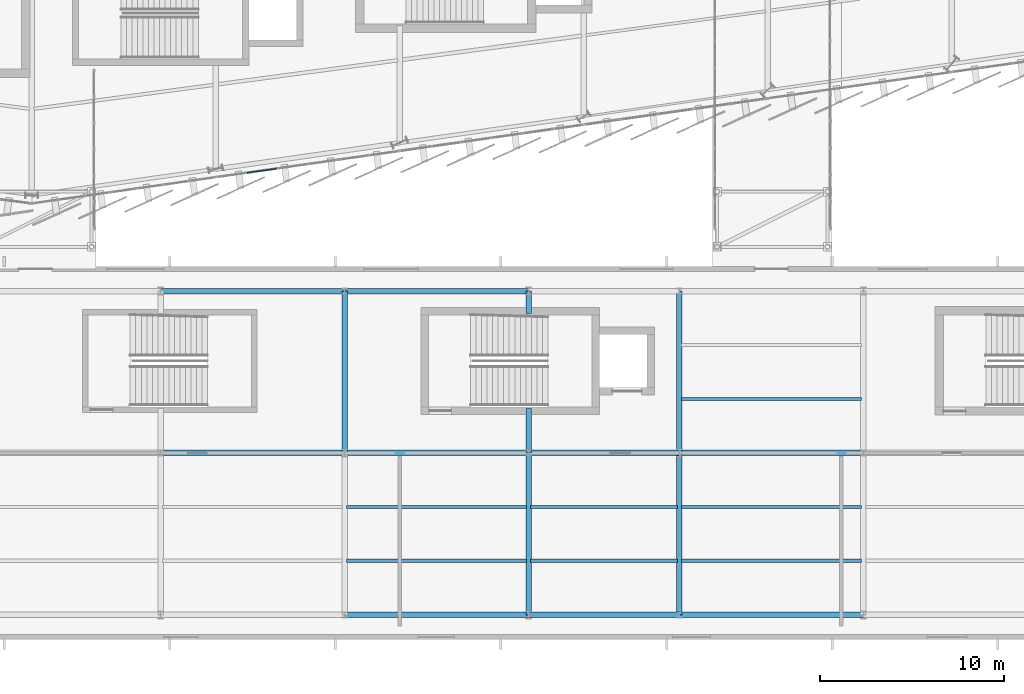
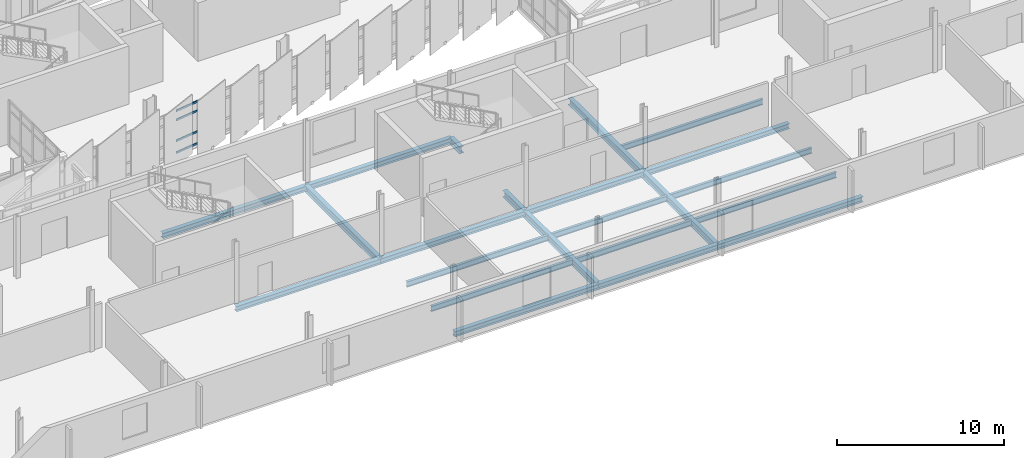
# One storey, part 38 of 125: 22 beams, 4 members, 1 element without a shape of its own.
"""IFC4 building model written with IfcOpenShell, lengths in metres."""

from ifc_helpers import new_model, si_unit, direction, frame, origin, origin_2d, place, context, subcontext, project, spatial, rectangle, i_section, extrude, material, layer, layer_set, material_profile, profile_set, type_object, element, aggregate, save


model = new_model("IFC4")

# Units and contexts
model_context = context("Model", 3, precision=1e-05, world=origin(), true_north=direction((0.0, 1.0)))
body_context = subcontext(model_context, "Body", "Model", "MODEL_VIEW")
ifc_project = project(units=[si_unit("LENGTHUNIT", "METRE"), si_unit("AREAUNIT", "SQUARE_METRE"), si_unit("VOLUMEUNIT", "CUBIC_METRE"), si_unit("PLANEANGLEUNIT", "RADIAN"), si_unit("MASSUNIT", "GRAM", prefix="KILO")], contexts=[model_context])

# Site, building, storey
site_placement = place(None, origin())
site = spatial("IfcSite", under=ifc_project, at=site_placement, CompositionType="ELEMENT")
building_placement = place(site_placement, origin())
building = spatial("IfcBuilding", under=site, at=building_placement, Name="Sohan Crest Arena", CompositionType="ELEMENT")
storey_placement = place(building_placement, frame((0.0, 0.0, 9.0)))
storey = spatial("IfcBuildingStorey", under=building, at=storey_placement, Name="L02", CompositionType="ELEMENT", Elevation=9.0)

# Curtain wall, members
ifc_material_1 = material(Name="Thermally broken anodised aluminium", Category="aluminium")
ifc_layer = layer(ifc_material_1, 0.199951171875, Name="Thermally broken anodised aluminium")
ifc_layer_set = layer_set([ifc_layer], Name="Thermally broken anodised aluminium")
curtain_wall_type = type_object("IfcCurtainWallType", Name="ARC-CW02", PredefinedType="NOTDEFINED", material=ifc_layer_set)
curtain_wall_placement = place(storey_placement, origin())
curtain_wall = element("IfcCurtainWall", 1, at=curtain_wall_placement, inside=storey, type_object=curtain_wall_type, Name="Unitised curtain wall CW-061", PredefinedType="NOTDEFINED")
ifc_material_profile_1 = material_profile(ifc_material_1, rectangle(XDim=0.06494140625, YDim=0.139892578125, at=origin_2d()), Name="ALU-TRAN 65x140")
ifc_profile_set_1 = profile_set([ifc_material_profile_1], Name="Thermally broken anodised aluminium")
member_type = type_object("IfcMemberType", Name="ARC-CW-TR02", PredefinedType="USERDEFINED", material=ifc_profile_set_1)
member_1_placement = place(storey_placement, frame((109.69873046875, 31.2216796875, 0.032470703125), z_axis=(0.989964569759, 0.141315783343, 0.0), x_axis=(-0.141315783343, 0.989964569759, 0.0)))
member_1 = element("IfcMember", 2, at=member_1_placement, type_object=member_type, Name="CW-061 transom 2.1", ObjectType="TRANSOM", PredefinedType="USERDEFINED", context=body_context, shape_type="SweptSolid", body=[
    extrude(rectangle(XDim=0.06494140625, YDim=0.139892578125, at=origin_2d()), origin(), (0.0, 0.0, 1.0), 1.618896484375),
])
member_2_placement = place(storey_placement, frame((109.69873046875, 31.2216796875, 0.89990234375), z_axis=(0.989964569759, 0.141315783343, 0.0), x_axis=(-0.141315783343, 0.989964569759, 0.0)))
member_2 = element("IfcMember", 3, at=member_2_placement, type_object=member_type, Name="CW-061 transom 2.2", ObjectType="TRANSOM", PredefinedType="USERDEFINED", context=body_context, shape_type="SweptSolid", body=[
    extrude(rectangle(XDim=0.06494140625, YDim=0.139892578125, at=origin_2d()), origin(), (0.0, 0.0, 1.0), 1.618896484375),
])
member_3_placement = place(storey_placement, frame((109.69873046875, 31.2216796875, 2.419921875), z_axis=(0.989964569759, 0.141315783343, 0.0), x_axis=(-0.141315783343, 0.989964569759, 0.0)))
member_3 = element("IfcMember", 4, at=member_3_placement, type_object=member_type, Name="CW-061 transom 2.3", ObjectType="TRANSOM", PredefinedType="USERDEFINED", context=body_context, shape_type="SweptSolid", body=[
    extrude(rectangle(XDim=0.06494140625, YDim=0.139892578125, at=origin_2d()), origin(), (0.0, 0.0, 1.0), 1.618896484375),
])
member_4_placement = place(storey_placement, frame((109.69873046875, 31.2216796875, 3.08740234375), z_axis=(0.989964569759, 0.141315783343, 0.0), x_axis=(-0.141315783343, 0.989964569759, 0.0)))
member_4 = element("IfcMember", 5, at=member_4_placement, type_object=member_type, Name="CW-061 transom 2.4", ObjectType="TRANSOM", PredefinedType="USERDEFINED", context=body_context, shape_type="SweptSolid", body=[
    extrude(rectangle(XDim=0.06494140625, YDim=0.139892578125, at=origin_2d()), origin(), (0.0, 0.0, 1.0), 1.618896484375),
])
aggregate(curtain_wall, [member_1, member_2, member_3, member_4])

# Beams
ifc_material_2 = material(Name="Steel S355", Category="steel")
ifc_material_profile_2 = material_profile(ifc_material_2, i_section(OverallWidth=0.179931640625, OverallDepth=0.39990234375, WebThickness=0.008544921875, FlangeThickness=0.013427734375, at=origin_2d()), Name="IPE 400")
ifc_profile_set_2 = profile_set([ifc_material_profile_2], Name="Steel S355")
beam_type_1 = type_object("IfcBeamType", Name="STR-BM-B03", PredefinedType="JOIST", material=ifc_profile_set_2)
for number, where, z_axis, x_axis, name in (
    (6, (115.110107421875, 10.133056640625, -0.449951171875), (1.0, 0.0, 0.0), (0.0, 1.0, 0.0), "Structural beam J-L02-2665"),
    (7, (115.110107421875, 13.06689453125, -0.449951171875), (1.0, 0.0, 0.0), (0.0, 1.0, 0.0), "Structural beam J-L02-2666"),
):
    element("IfcBeam", number, at=place(storey_placement, frame(where, z_axis=z_axis, x_axis=x_axis)), inside=storey, type_object=beam_type_1, Name=name, PredefinedType="JOIST", context=body_context, shape_type="SweptSolid", body=[
        extrude(i_section(OverallWidth=0.179931640625, OverallDepth=0.39990234375, WebThickness=0.008544921875, FlangeThickness=0.013427734375, at=origin_2d()), origin(), (0.0, 0.0, 1.0), 9.77978515625),
    ])
for number, where, z_axis, x_axis, name in (
    (8, (125.110107421875, 10.133056640625, -0.449951171875), (1.0, 0.0, 0.0), (0.0, 1.0, 0.0), "Structural beam J-L02-2668"),
    (9, (125.110107421875, 13.06689453125, -0.449951171875), (1.0, 0.0, 0.0), (0.0, 1.0, 0.0), "Structural beam J-L02-2669"),
):
    element("IfcBeam", number, at=place(storey_placement, frame(where, z_axis=z_axis, x_axis=x_axis)), inside=storey, type_object=beam_type_1, Name=name, PredefinedType="JOIST", context=body_context, shape_type="SweptSolid", body=[
        extrude(i_section(OverallWidth=0.179931640625, OverallDepth=0.39990234375, WebThickness=0.008544921875, FlangeThickness=0.013427734375, at=origin_2d()), origin(), (0.0, 0.0, 1.0), 7.97998046875),
    ])
for number, where, z_axis, x_axis, name in (
    (10, (133.31005859375, 10.133056640625, -0.449951171875), (1.0, 0.0, 0.0), (0.0, 1.0, 0.0), "Structural beam J-L02-2671"),
    (11, (133.31005859375, 13.06689453125, -0.449951171875), (1.0, 0.0, 0.0), (0.0, 1.0, 0.0), "Structural beam J-L02-2672"),
    (12, (133.31005859375, 18.93310546875, -0.449951171875), (1.0, 0.0, 0.0), (0.0, 1.0, 0.0), "Structural beam J-L02-2686"),
):
    element("IfcBeam", number, at=place(storey_placement, frame(where, z_axis=z_axis, x_axis=x_axis)), inside=storey, type_object=beam_type_1, Name=name, PredefinedType="JOIST", context=body_context, shape_type="SweptSolid", body=[
        extrude(i_section(OverallWidth=0.179931640625, OverallDepth=0.39990234375, WebThickness=0.008544921875, FlangeThickness=0.013427734375, at=origin_2d()), origin(), (0.0, 0.0, 1.0), 9.780029296875),
    ])
ifc_material_profile_3 = material_profile(ifc_material_2, i_section(OverallWidth=0.300048828125, OverallDepth=0.389892578125, WebThickness=0.010986328125, FlangeThickness=0.01904296875, at=origin_2d()), Name="HEA 400")
ifc_profile_set_3 = profile_set([ifc_material_profile_3], Name="Steel S355")
beam_type_2 = type_object("IfcBeamType", Name="STR-BM-B09", PredefinedType="BEAM", material=ifc_profile_set_3)
beam_1_placement = place(storey_placement, frame((115.0, 7.199951171875, -0.445068359375), z_axis=(1.0, 0.0, 0.0), x_axis=(0.0, 1.0, 0.0)))
element("IfcBeam", 13, at=beam_1_placement, inside=storey, type_object=beam_type_2, Name="Structural beam G-L02-2664", PredefinedType="BEAM", context=body_context, shape_type="SweptSolid", body=[
    extrude(i_section(OverallWidth=0.300048828125, OverallDepth=0.389892578125, WebThickness=0.010986328125, FlangeThickness=0.01904296875, at=origin_2d()), origin(), (0.0, 0.0, 1.0), 10.0),
])
beam_2_placement = place(storey_placement, frame((125.0, 7.199951171875, -0.445068359375), z_axis=(1.0, 0.0, 0.0), x_axis=(0.0, 1.0, 0.0)))
element("IfcBeam", 14, at=beam_2_placement, inside=storey, type_object=beam_type_2, Name="Structural beam G-L02-2667", PredefinedType="BEAM", context=body_context, shape_type="SweptSolid", body=[
    extrude(i_section(OverallWidth=0.300048828125, OverallDepth=0.389892578125, WebThickness=0.010986328125, FlangeThickness=0.01904296875, at=origin_2d()), origin(), (0.0, 0.0, 1.0), 8.199951171875),
])
for number, where, z_axis, x_axis, name in (
    (15, (133.199951171875, 7.199951171875, -0.445068359375), (1.0, 0.0, 0.0), (0.0, 1.0, 0.0), "Structural beam G-L02-2670"),
    (16, (105.0, 16.0, -0.445068359375), (1.0, 0.0, 0.0), (0.0, 1.0, 0.0), "Structural beam G-L02-2682"),
    (17, (115.0, 16.0, -0.445068359375), (1.0, 0.0, 0.0), (0.0, 1.0, 0.0), "Structural beam G-L02-2683"),
):
    element("IfcBeam", number, at=place(storey_placement, frame(where, z_axis=z_axis, x_axis=x_axis)), inside=storey, type_object=beam_type_2, Name=name, PredefinedType="BEAM", context=body_context, shape_type="SweptSolid", body=[
        extrude(i_section(OverallWidth=0.300048828125, OverallDepth=0.389892578125, WebThickness=0.010986328125, FlangeThickness=0.01904296875, at=origin_2d()), origin(), (0.0, 0.0, 1.0), 10.0),
    ])
beam_3_placement = place(storey_placement, frame((125.0, 16.0, -0.445068359375), z_axis=(1.0, 0.0, 0.0), x_axis=(0.0, 1.0, 0.0)))
element("IfcBeam", 18, at=beam_3_placement, inside=storey, type_object=beam_type_2, Name="Structural beam G-L02-2684", PredefinedType="BEAM", context=body_context, shape_type="SweptSolid", body=[
    extrude(i_section(OverallWidth=0.300048828125, OverallDepth=0.389892578125, WebThickness=0.010986328125, FlangeThickness=0.01904296875, at=origin_2d()), origin(), (0.0, 0.0, 1.0), 8.199951171875),
])
for number, where, z_axis, x_axis, name in (
    (19, (133.199951171875, 16.0, -0.445068359375), (1.0, 0.0, 0.0), (0.0, 1.0, 0.0), "Structural beam G-L02-2685"),
    (20, (105.0, 24.800048828125, -0.445068359375), (1.0, 0.0, 0.0), (0.0, 1.0, 0.0), "Structural beam G-L02-2693"),
    (21, (115.0, 24.800048828125, -0.445068359375), (1.0, 0.0, 0.0), (0.0, 1.0, 0.0), "Structural beam G-L02-2694"),
):
    element("IfcBeam", number, at=place(storey_placement, frame(where, z_axis=z_axis, x_axis=x_axis)), inside=storey, type_object=beam_type_2, Name=name, PredefinedType="BEAM", context=body_context, shape_type="SweptSolid", body=[
        extrude(i_section(OverallWidth=0.300048828125, OverallDepth=0.389892578125, WebThickness=0.010986328125, FlangeThickness=0.01904296875, at=origin_2d()), origin(), (0.0, 0.0, 1.0), 10.0),
    ])
ifc_material_profile_4 = material_profile(ifc_material_2, i_section(OverallWidth=0.300048828125, OverallDepth=0.489990234375, WebThickness=0.011962890625, FlangeThickness=0.02294921875, at=origin_2d()), Name="HEA 500")
ifc_profile_set_4 = profile_set([ifc_material_profile_4], Name="Steel S355")
beam_type_3 = type_object("IfcBeamType", Name="STR-BM-B10", PredefinedType="BEAM", material=ifc_profile_set_4)
for number, where, z_axis, x_axis, name in (
    (22, (115.0, 16.0, -0.4951171875), (0.0, 1.0, 0.0), (-1.0, 0.0, 0.0), "Structural beam G-L02-2639"),
    (23, (125.0, 7.199951171875, -0.4951171875), (0.0, 1.0, 0.0), (-1.0, 0.0, 0.0), "Structural beam G-L02-2640"),
):
    element("IfcBeam", number, at=place(storey_placement, frame(where, z_axis=z_axis, x_axis=x_axis)), inside=storey, type_object=beam_type_3, Name=name, PredefinedType="BEAM", context=body_context, shape_type="SweptSolid", body=[
        extrude(i_section(OverallWidth=0.300048828125, OverallDepth=0.489990234375, WebThickness=0.011962890625, FlangeThickness=0.02294921875, at=origin_2d()), origin(), (0.0, 0.0, 1.0), 8.800048828125),
    ])
beam_4_placement = place(storey_placement, frame((125.0, 16.0, -0.4951171875), z_axis=(0.0, 1.0, 0.0), x_axis=(-1.0, 0.0, 0.0)))
element("IfcBeam", 24, at=beam_4_placement, inside=storey, type_object=beam_type_3, Name="Structural beam G-L02-2641", PredefinedType="BEAM", context=body_context, shape_type="SweptSolid", body=[
    extrude(i_section(OverallWidth=0.300048828125, OverallDepth=0.489990234375, WebThickness=0.011962890625, FlangeThickness=0.02294921875, at=origin_2d()), origin(), (0.0, 0.0, 1.0), 2.419921875),
])
beam_5_placement = place(storey_placement, frame((125.0, 23.580078125, -0.4951171875), z_axis=(0.0, 1.0, 0.0), x_axis=(-1.0, 0.0, 0.0)))
element("IfcBeam", 25, at=beam_5_placement, inside=storey, type_object=beam_type_3, Name="Structural beam G-L02-2642", PredefinedType="BEAM", context=body_context, shape_type="SweptSolid", body=[
    extrude(i_section(OverallWidth=0.300048828125, OverallDepth=0.489990234375, WebThickness=0.011962890625, FlangeThickness=0.02294921875, at=origin_2d()), origin(), (0.0, 0.0, 1.0), 1.219970703125),
])
for number, where, z_axis, x_axis, name in (
    (26, (133.199951171875, 7.199951171875, -0.4951171875), (0.0, 1.0, 0.0), (-1.0, 0.0, 0.0), "Structural beam G-L02-2643"),
    (27, (133.199951171875, 16.0, -0.4951171875), (0.0, 1.0, 0.0), (-1.0, 0.0, 0.0), "Structural beam G-L02-2644"),
):
    element("IfcBeam", number, at=place(storey_placement, frame(where, z_axis=z_axis, x_axis=x_axis)), inside=storey, type_object=beam_type_3, Name=name, PredefinedType="BEAM", context=body_context, shape_type="SweptSolid", body=[
        extrude(i_section(OverallWidth=0.300048828125, OverallDepth=0.489990234375, WebThickness=0.011962890625, FlangeThickness=0.02294921875, at=origin_2d()), origin(), (0.0, 0.0, 1.0), 8.800048828125),
    ])

save(model, "model.ifc")
